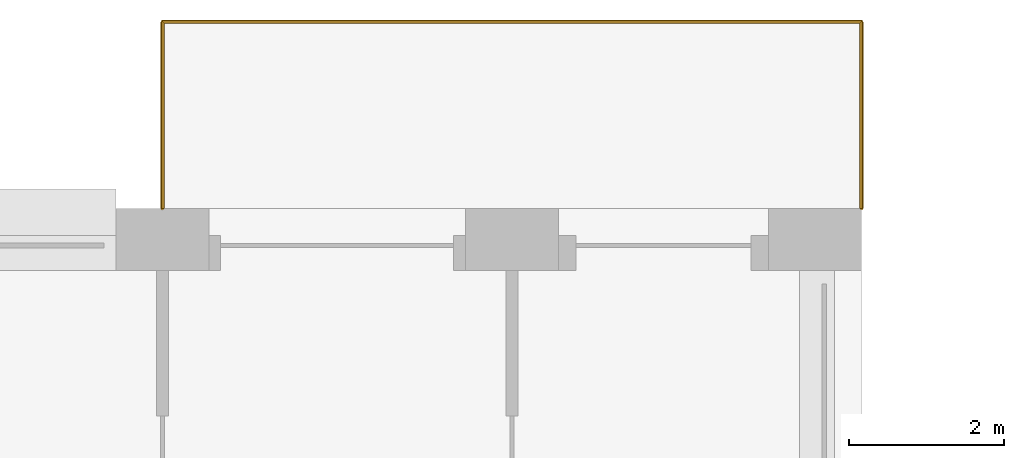
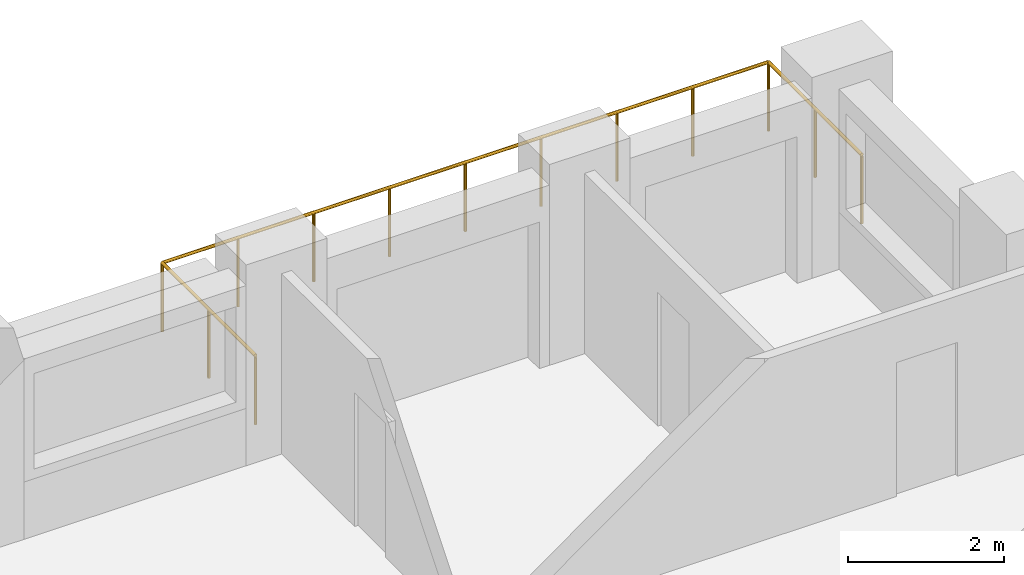
# One storey, part 19 of 19: 1 railing.
"""IFC4 building model written with IfcOpenShell, lengths in metres."""

from ifc_helpers import new_model, si_unit, direction, frame, origin, origin_2d, place, context, subcontext, project, spatial, circle, extrude, material, type_object, element, save


model = new_model("IFC4")

# Units and contexts
model_context = context("Model", 3, precision=1e-05, world=origin(), true_north=direction((0.0, 1.0)))
body_context = subcontext(model_context, "Body", "Model", "MODEL_VIEW")
ifc_project = project(units=[si_unit("LENGTHUNIT", "METRE"), si_unit("AREAUNIT", "SQUARE_METRE"), si_unit("VOLUMEUNIT", "CUBIC_METRE"), si_unit("PLANEANGLEUNIT", "RADIAN"), si_unit("MASSUNIT", "GRAM", prefix="KILO")], contexts=[model_context])

# Site, building, storey
site_placement = place(None, origin())
site = spatial("IfcSite", under=ifc_project, at=site_placement, CompositionType="ELEMENT")
building_placement = place(site_placement, origin())
building = spatial("IfcBuilding", under=site, at=building_placement, Name="Brigalow Station Residences", CompositionType="ELEMENT")
storey_placement = place(building_placement, frame((0.0, 0.0, 32.10009765625)))
storey = spatial("IfcBuildingStorey", under=building, at=storey_placement, Name="L08", CompositionType="ELEMENT", Elevation=32.10009765625)

# Railing
ifc_material = material(Name="Stainless steel balustrade with laminated glass infill", Category="steel")
railing_type = type_object("IfcRailingType", Name="BALCONY GUARD 1100", PredefinedType="GUARDRAIL", material=ifc_material)
railing_placement = place(storey_placement, frame((72.0, 48.5, -0.0400390625)))
element("IfcRailing", 1, at=railing_placement, inside=storey, type_object=railing_type, Name="L08/balcony-guard/2", PredefinedType="GUARDRAIL", context=body_context, shape_type="SweptSolid", body=[
    extrude(circle(Radius=0.02392578125, at=origin_2d()), frame((0.0, 0.0, 1.076171875), z_axis=(0.0, 1.0, 0.0), x_axis=(-1.0, 0.0, 0.0)), (0.0, 0.0, 1.0), 2.39990234375),
    extrude(circle(Radius=0.02392578125, at=origin_2d()), frame((0.0, 2.39990234375, 1.076171875), z_axis=(-1.0, 0.0, 0.0), x_axis=(0.0, -1.0, 0.0)), (0.0, 0.0, 1.0), 9.0),
    extrude(circle(Radius=0.02392578125, at=origin_2d()), frame((-9.0, 2.39990234375, 1.076171875), z_axis=(0.0, -1.0, 0.0), x_axis=(1.0, 0.0, 0.0)), (0.0, 0.0, 1.0), 2.39990234375),
    extrude(circle(Radius=0.02099609375, at=origin_2d()), origin(), (0.0, 0.0, 1.0), 1.052001953125),
    extrude(circle(Radius=0.02099609375, at=origin_2d()), frame((0.0, 1.199951171875, 0.0)), (0.0, 0.0, 1.0), 1.052001953125),
    extrude(circle(Radius=0.02099609375, at=origin_2d()), frame((0.0, 2.39990234375, 0.0)), (0.0, 0.0, 1.0), 1.052001953125),
    extrude(circle(Radius=0.02099609375, at=origin_2d()), frame((-1.125, 2.39990234375, 0.0)), (0.0, 0.0, 1.0), 1.052001953125),
    extrude(circle(Radius=0.02099609375, at=origin_2d()), frame((-2.25, 2.39990234375, 0.0)), (0.0, 0.0, 1.0), 1.052001953125),
    extrude(circle(Radius=0.02099609375, at=origin_2d()), frame((-3.375, 2.39990234375, 0.0)), (0.0, 0.0, 1.0), 1.052001953125),
    extrude(circle(Radius=0.02099609375, at=origin_2d()), frame((-4.5, 2.39990234375, 0.0)), (0.0, 0.0, 1.0), 1.052001953125),
    extrude(circle(Radius=0.02099609375, at=origin_2d()), frame((-5.625, 2.39990234375, 0.0)), (0.0, 0.0, 1.0), 1.052001953125),
    extrude(circle(Radius=0.02099609375, at=origin_2d()), frame((-6.75, 2.39990234375, 0.0)), (0.0, 0.0, 1.0), 1.052001953125),
    extrude(circle(Radius=0.02099609375, at=origin_2d()), frame((-7.875, 2.39990234375, 0.0)), (0.0, 0.0, 1.0), 1.052001953125),
    extrude(circle(Radius=0.02099609375, at=origin_2d()), frame((-9.0, 2.39990234375, 0.0)), (0.0, 0.0, 1.0), 1.052001953125),
    extrude(circle(Radius=0.02099609375, at=origin_2d()), frame((-9.0, 1.199951171875, 0.0)), (0.0, 0.0, 1.0), 1.052001953125),
    extrude(circle(Radius=0.02099609375, at=origin_2d()), frame((-9.0, 0.0, 0.0)), (0.0, 0.0, 1.0), 1.052001953125),
])

save(model, "model.ifc")
